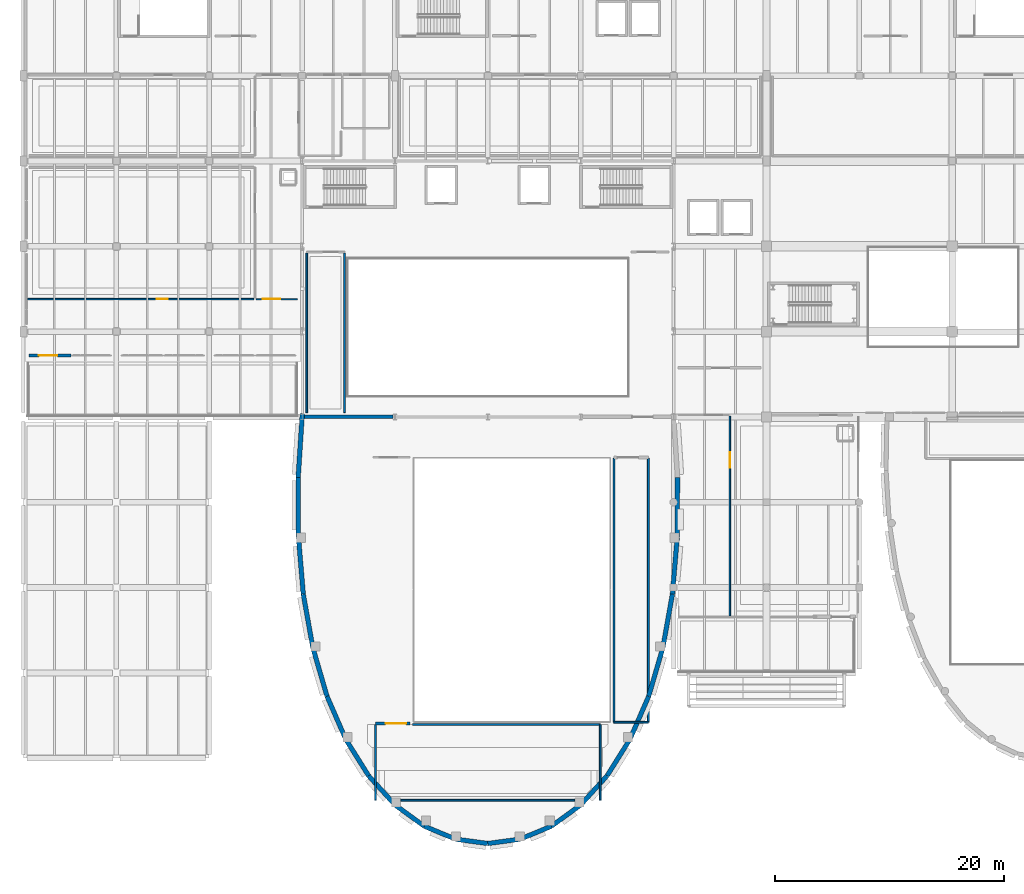
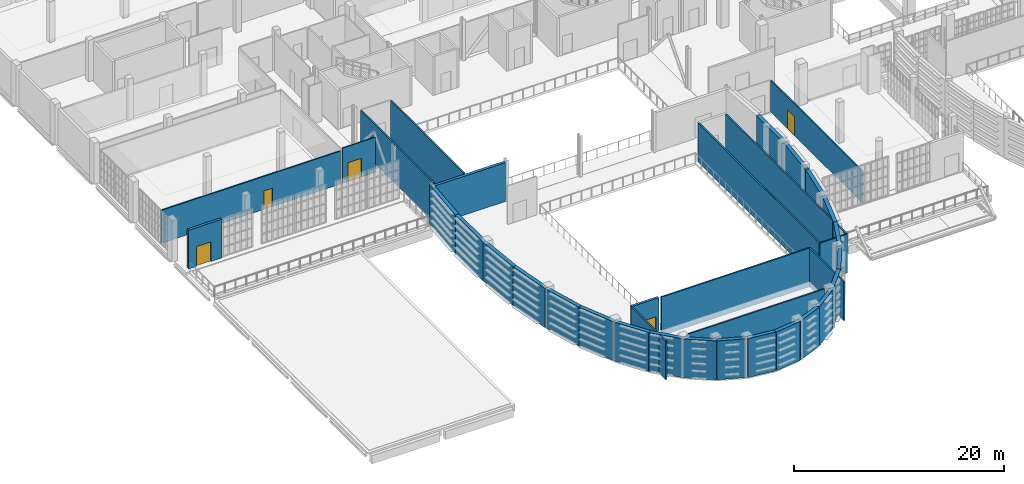
# One storey, part 87 of 104: 36 walls, 5 doors, 5 openings.
"""IFC4 building model written with IfcOpenShell, lengths in metres."""

from ifc_helpers import new_model, si_unit, direction, frame, frame_2d, origin, place, context, subcontext, project, spatial, rectangle, extrude, material, layer, layer_set, type_object, element, fill, save


model = new_model("IFC4")

# Units and contexts
model_context = context("Model", 3, precision=1e-05, world=origin(), true_north=direction((0.0, 1.0)))
body_context = subcontext(model_context, "Body", "Model", "MODEL_VIEW")
ifc_project = project(units=[si_unit("LENGTHUNIT", "METRE"), si_unit("AREAUNIT", "SQUARE_METRE"), si_unit("VOLUMEUNIT", "CUBIC_METRE"), si_unit("PLANEANGLEUNIT", "RADIAN"), si_unit("MASSUNIT", "GRAM", prefix="KILO")], contexts=[model_context])

# Site, building, storey
site_placement = place(None, origin())
site = spatial("IfcSite", under=ifc_project, at=site_placement, CompositionType="ELEMENT")
building_placement = place(site_placement, origin())
building = spatial("IfcBuilding", under=site, at=building_placement, Name="Kaelora Sail Theatre", CompositionType="ELEMENT")
storey_placement = place(building_placement, frame((0.0, 0.0, 5.39990234375)))
storey = spatial("IfcBuildingStorey", under=building, at=storey_placement, Name="L01", CompositionType="ELEMENT", Elevation=5.39990234375)

# Walls
ifc_material_1 = material(Name="Concrete C45/55", Category="concrete")
ifc_layer_1 = layer(ifc_material_1, 0.300048828125)
ifc_layer_set_1 = layer_set([ifc_layer_1], Name="Concrete C45/55")
wall_type_1 = type_object("IfcWallType", Name="ARC-WL-CW-300", PredefinedType="SHEAR", material=ifc_layer_set_1)
wall_1_placement = place(storey_placement, frame((25.951904296875, 61.02001953125, 0.0), z_axis=(0.0, 0.0, 1.0), x_axis=(1.0, 0.0, 0.0)))
element("IfcWall", 1, at=wall_1_placement, inside=storey, type_object=wall_type_1, Name="Proscenium fire wall L01-W", PredefinedType="SHEAR", context=body_context, shape_type="SweptSolid", body=[
    extrude(rectangle(XDim=7.796142578125, YDim=0.300048828125, at=frame_2d((3.89794921875, 0.0))), origin(), (0.0, 0.0, 1.0), 4.525146484375),
])
ifc_material_2 = material(Name="Concrete C50/60", Category="concrete")
ifc_layer_2 = layer(ifc_material_2, 0.39990234375)
ifc_layer_set_2 = layer_set([ifc_layer_2], Name="Concrete C50/60")
wall_type_2 = type_object("IfcWallType", Name="ARC-WL-DW-400", PredefinedType="SHEAR", material=ifc_layer_set_2)
wall_2_placement = place(storey_placement, frame((58.542236328125, 55.725830078125, 0.0), z_axis=(0.0, 0.0, 1.0), x_axis=(-0.004895671688, -0.999988016128, 0.0)))
element("IfcWall", 2, at=wall_2_placement, inside=storey, type_object=wall_type_2, Name="Main Theatre Sail Drum curved drum acoustic wall L01 chord 2", PredefinedType="SHEAR", context=body_context, shape_type="SweptSolid", body=[
    extrude(rectangle(XDim=5.186279296875, YDim=0.39990234375, at=frame_2d((2.59326171875, 0.0))), origin(), (0.0, 0.0, 1.0), 4.525146484375),
])
wall_3_placement = place(storey_placement, frame((58.516845703125, 50.53955078125, 0.0), z_axis=(0.0, 0.0, 1.0), x_axis=(-0.084239735825, -0.996445516277, 0.0)))
element("IfcWall", 3, at=wall_3_placement, inside=storey, type_object=wall_type_2, Name="Main Theatre Sail Drum curved drum acoustic wall L01 chord 3", PredefinedType="SHEAR", context=body_context, shape_type="SweptSolid", body=[
    extrude(rectangle(XDim=4.99072265625, YDim=0.39990234375, at=frame_2d((2.495361328125, 0.0))), origin(), (0.0, 0.0, 1.0), 4.525146484375),
])
wall_4_placement = place(storey_placement, frame((58.096435546875, 45.566650390625, 0.0), z_axis=(0.0, 0.0, 1.0), x_axis=(-0.17557456422, -0.98446613573, 0.0)))
element("IfcWall", 4, at=wall_4_placement, inside=storey, type_object=wall_type_2, Name="Main Theatre Sail Drum curved drum acoustic wall L01 chord 4", PredefinedType="SHEAR", context=body_context, shape_type="SweptSolid", body=[
    extrude(rectangle(XDim=4.73193359375, YDim=0.39990234375, at=frame_2d((2.365966796875, 0.0))), origin(), (0.0, 0.0, 1.0), 4.525146484375),
])
wall_5_placement = place(storey_placement, frame((57.265625, 40.908203125, 0.0), z_axis=(0.0, 0.0, 1.0), x_axis=(-0.280296498643, -0.959913471542, 0.0)))
element("IfcWall", 5, at=wall_5_placement, inside=storey, type_object=wall_type_2, Name="Main Theatre Sail Drum curved drum acoustic wall L01 chord 5", PredefinedType="SHEAR", context=body_context, shape_type="SweptSolid", body=[
    extrude(rectangle(XDim=4.426513671875, YDim=0.39990234375, at=frame_2d((2.21337890625, 0.0))), origin(), (0.0, 0.0, 1.0), 4.525146484375),
])
wall_6_placement = place(storey_placement, frame((56.02490234375, 36.6591796875, 0.0), z_axis=(0.0, 0.0, 1.0), x_axis=(-0.39928213013, -0.916828108513, 0.0)))
element("IfcWall", 6, at=wall_6_placement, inside=storey, type_object=wall_type_2, Name="Main Theatre Sail Drum curved drum acoustic wall L01 chord 6", PredefinedType="SHEAR", context=body_context, shape_type="SweptSolid", body=[
    extrude(rectangle(XDim=4.09375, YDim=0.39990234375, at=frame_2d((2.046875, 0.0))), origin(), (0.0, 0.0, 1.0), 4.525146484375),
])
wall_7_placement = place(storey_placement, frame((54.390380859375, 32.906005859375, 0.0), z_axis=(0.0, 0.0, 1.0), x_axis=(-0.531284290946, -0.847193603726, 0.0)))
element("IfcWall", 7, at=wall_7_placement, inside=storey, type_object=wall_type_2, Name="Main Theatre Sail Drum curved drum acoustic wall L01 chord 7", PredefinedType="SHEAR", context=body_context, shape_type="SweptSolid", body=[
    extrude(rectangle(XDim=3.75439453125, YDim=0.39990234375, at=frame_2d((1.877197265625, 0.0))), origin(), (0.0, 0.0, 1.0), 4.525146484375),
])
wall_8_placement = place(storey_placement, frame((52.395751953125, 29.725341796875, 0.0), z_axis=(0.0, 0.0, 1.0), x_axis=(-0.671588971211, -0.740923919001, 0.0)))
element("IfcWall", 8, at=wall_8_placement, inside=storey, type_object=wall_type_2, Name="Main Theatre Sail Drum curved drum acoustic wall L01 chord 8", PredefinedType="SHEAR", context=body_context, shape_type="SweptSolid", body=[
    extrude(rectangle(XDim=3.43310546875, YDim=0.39990234375, at=frame_2d((1.716552734375, 0.0))), origin(), (0.0, 0.0, 1.0), 4.525146484375),
])
wall_9_placement = place(storey_placement, frame((50.090087890625, 27.181640625, 0.0), z_axis=(0.0, 0.0, 1.0), x_axis=(-0.809033741653, -0.587762200951, 0.0)))
element("IfcWall", 9, at=wall_9_placement, inside=storey, type_object=wall_type_2, Name="Main Theatre Sail Drum curved drum acoustic wall L01 chord 9", PredefinedType="SHEAR", context=body_context, shape_type="SweptSolid", body=[
    extrude(rectangle(XDim=3.155517578125, YDim=0.39990234375, at=frame_2d((1.57763671875, 0.0))), origin(), (0.0, 0.0, 1.0), 4.525146484375),
])
wall_10_placement = place(storey_placement, frame((47.537109375, 25.326904296875, 0.0), z_axis=(0.0, 0.0, 1.0), x_axis=(-0.923897776758, -0.382639383887, 0.0)))
element("IfcWall", 10, at=wall_10_placement, inside=storey, type_object=wall_type_2, Name="Main Theatre Sail Drum curved drum acoustic wall L01 chord 10", PredefinedType="SHEAR", context=body_context, shape_type="SweptSolid", body=[
    extrude(rectangle(XDim=2.948974609375, YDim=0.39990234375, at=frame_2d((1.474609375, 0.0))), origin(), (0.0, 0.0, 1.0), 4.525146484375),
])
for number, where, z_axis, x_axis, name in (
    (11, (44.8125, 24.198486328125, 0.0), (0.0, 0.0, 1.0), (-0.991069409398, -0.133347012549, 0.0), "Main Theatre Sail Drum curved drum acoustic wall L01 chord 11"),
    (12, (42.0, 23.820068359375, 0.0), (0.0, 0.0, 1.0), (-0.991069409398, 0.133347012549, 0.0), "Main Theatre Sail Drum curved drum acoustic wall L01 chord 12"),
):
    element("IfcWall", number, at=place(storey_placement, frame(where, z_axis=z_axis, x_axis=x_axis)), inside=storey, type_object=wall_type_2, Name=name, PredefinedType="SHEAR", context=body_context, shape_type="SweptSolid", body=[
        extrude(rectangle(XDim=2.837890625, YDim=0.39990234375, at=frame_2d((1.4189453125, 0.0))), origin(), (0.0, 0.0, 1.0), 4.525146484375),
    ])
wall_11_placement = place(storey_placement, frame((39.1875, 24.198486328125, 0.0), z_axis=(0.0, 0.0, 1.0), x_axis=(-0.923897776758, 0.382639383887, 0.0)))
element("IfcWall", 13, at=wall_11_placement, inside=storey, type_object=wall_type_2, Name="Main Theatre Sail Drum curved drum acoustic wall L01 chord 13", PredefinedType="SHEAR", context=body_context, shape_type="SweptSolid", body=[
    extrude(rectangle(XDim=2.948974609375, YDim=0.39990234375, at=frame_2d((1.474609375, 0.0))), origin(), (0.0, 0.0, 1.0), 4.525146484375),
])
wall_12_placement = place(storey_placement, frame((36.462890625, 25.326904296875, 0.0), z_axis=(0.0, 0.0, 1.0), x_axis=(-0.809033741653, 0.587762200951, 0.0)))
element("IfcWall", 14, at=wall_12_placement, inside=storey, type_object=wall_type_2, Name="Main Theatre Sail Drum curved drum acoustic wall L01 chord 14", PredefinedType="SHEAR", context=body_context, shape_type="SweptSolid", body=[
    extrude(rectangle(XDim=3.155517578125, YDim=0.39990234375, at=frame_2d((1.57763671875, 0.0))), origin(), (0.0, 0.0, 1.0), 4.525146484375),
])
wall_13_placement = place(storey_placement, frame((33.909912109375, 27.181640625, 0.0), z_axis=(0.0, 0.0, 1.0), x_axis=(-0.671588971211, 0.740923919001, 0.0)))
element("IfcWall", 15, at=wall_13_placement, inside=storey, type_object=wall_type_2, Name="Main Theatre Sail Drum curved drum acoustic wall L01 chord 15", PredefinedType="SHEAR", context=body_context, shape_type="SweptSolid", body=[
    extrude(rectangle(XDim=3.43310546875, YDim=0.39990234375, at=frame_2d((1.716552734375, 0.0))), origin(), (0.0, 0.0, 1.0), 4.525146484375),
])
wall_14_placement = place(storey_placement, frame((31.604248046875, 29.725341796875, 0.0), z_axis=(0.0, 0.0, 1.0), x_axis=(-0.531284290946, 0.847193603726, 0.0)))
element("IfcWall", 16, at=wall_14_placement, inside=storey, type_object=wall_type_2, Name="Main Theatre Sail Drum curved drum acoustic wall L01 chord 16", PredefinedType="SHEAR", context=body_context, shape_type="SweptSolid", body=[
    extrude(rectangle(XDim=3.75439453125, YDim=0.39990234375, at=frame_2d((1.877197265625, 0.0))), origin(), (0.0, 0.0, 1.0), 4.525146484375),
])
wall_15_placement = place(storey_placement, frame((29.609619140625, 32.906005859375, 0.0), z_axis=(0.0, 0.0, 1.0), x_axis=(-0.39928213013, 0.916828108513, 0.0)))
element("IfcWall", 17, at=wall_15_placement, inside=storey, type_object=wall_type_2, Name="Main Theatre Sail Drum curved drum acoustic wall L01 chord 17", PredefinedType="SHEAR", context=body_context, shape_type="SweptSolid", body=[
    extrude(rectangle(XDim=4.09375, YDim=0.39990234375, at=frame_2d((2.046875, 0.0))), origin(), (0.0, 0.0, 1.0), 4.525146484375),
])
wall_16_placement = place(storey_placement, frame((27.97509765625, 36.6591796875, 0.0), z_axis=(0.0, 0.0, 1.0), x_axis=(-0.280296498643, 0.959913471542, 0.0)))
element("IfcWall", 18, at=wall_16_placement, inside=storey, type_object=wall_type_2, Name="Main Theatre Sail Drum curved drum acoustic wall L01 chord 18", PredefinedType="SHEAR", context=body_context, shape_type="SweptSolid", body=[
    extrude(rectangle(XDim=4.426513671875, YDim=0.39990234375, at=frame_2d((2.21337890625, 0.0))), origin(), (0.0, 0.0, 1.0), 4.525146484375),
])
wall_17_placement = place(storey_placement, frame((26.734375, 40.908203125, 0.0), z_axis=(0.0, 0.0, 1.0), x_axis=(-0.17557456422, 0.98446613573, 0.0)))
element("IfcWall", 19, at=wall_17_placement, inside=storey, type_object=wall_type_2, Name="Main Theatre Sail Drum curved drum acoustic wall L01 chord 19", PredefinedType="SHEAR", context=body_context, shape_type="SweptSolid", body=[
    extrude(rectangle(XDim=4.73193359375, YDim=0.39990234375, at=frame_2d((2.365966796875, 0.0))), origin(), (0.0, 0.0, 1.0), 4.525146484375),
])
wall_18_placement = place(storey_placement, frame((25.903564453125, 45.566650390625, 0.0), z_axis=(0.0, 0.0, 1.0), x_axis=(-0.084239735825, 0.996445516277, 0.0)))
element("IfcWall", 20, at=wall_18_placement, inside=storey, type_object=wall_type_2, Name="Main Theatre Sail Drum curved drum acoustic wall L01 chord 20", PredefinedType="SHEAR", context=body_context, shape_type="SweptSolid", body=[
    extrude(rectangle(XDim=4.99072265625, YDim=0.39990234375, at=frame_2d((2.495361328125, 0.0))), origin(), (0.0, 0.0, 1.0), 4.525146484375),
])
wall_19_placement = place(storey_placement, frame((25.483154296875, 50.53955078125, 0.0), z_axis=(0.0, 0.0, 1.0), x_axis=(-0.004895671688, 0.999988016128, 0.0)))
element("IfcWall", 21, at=wall_19_placement, inside=storey, type_object=wall_type_2, Name="Main Theatre Sail Drum curved drum acoustic wall L01 chord 21", PredefinedType="SHEAR", context=body_context, shape_type="SweptSolid", body=[
    extrude(rectangle(XDim=5.186279296875, YDim=0.39990234375, at=frame_2d((2.59326171875, 0.0))), origin(), (0.0, 0.0, 1.0), 4.525146484375),
])
wall_20_placement = place(storey_placement, frame((25.457763671875, 55.725830078125, 0.0), z_axis=(0.0, 0.0, 1.0), x_axis=(0.064519893008, 0.997916421053, 0.0)))
element("IfcWall", 22, at=wall_20_placement, inside=storey, type_object=wall_type_2, Name="Main Theatre Sail Drum curved drum acoustic wall L01 chord 22", PredefinedType="SHEAR", context=body_context, shape_type="SweptSolid", body=[
    extrude(rectangle(XDim=5.585205078125, YDim=0.39990234375, at=frame_2d((2.79248046875, 0.0))), origin(), (0.0, 0.0, 1.0), 4.525146484375),
])

# Wall, opening, door
ifc_material_3 = material(Name="Precast concrete C45/55", Category="concrete")
ifc_layer_3 = layer(ifc_material_3, 0.280029296875)
ifc_layer_set_3 = layer_set([ifc_layer_3], Name="Precast concrete C45/55")
wall_type_3 = type_object("IfcWallType", Name="ARC-WL-EW-280", PredefinedType="SOLIDWALL", material=ifc_layer_set_3)
wall_21_placement = place(storey_placement, frame((2.0, 66.389892578125, 0.0), z_axis=(0.0, 0.0, 1.0), x_axis=(1.0, 0.0, 0.0)))
wall_21 = element("IfcWall", 23, at=wall_21_placement, inside=storey, type_object=wall_type_3, Name="West Balcony Terrace TR-S1W Access Wall", PredefinedType="SOLIDWALL", context=body_context, shape_type="SweptSolid", body=[
    extrude(rectangle(XDim=3.64990234375, YDim=0.280029296875, at=frame_2d((1.824951171875, 0.0))), origin(), (0.0, 0.0, 1.0), 4.505126953125),
])
opening_1_placement = place(wall_21_placement, frame((0.85009765625, 0.0, 0.0)))
opening_1 = element("IfcOpeningElement", 24, at=opening_1_placement, cuts=wall_21, Name="Opening ED-05", PredefinedType="OPENING", context=body_context, shape_type="SweptSolid", body=[
    extrude(rectangle(XDim=1.60009765625, YDim=2.300048828125, at=frame_2d((0.800048828125, 1.14990234375))), frame((0.0, 0.150137, 0.0), z_axis=(0.0, -1.0, 0.0), x_axis=(1.0, 0.0, 0.0)), (0.0, 0.0, 1.0), 0.300029),
])
ifc_material_4 = material(Name="Terrace glazed double swing door", Category="aluminium")
door_type_1 = type_object("IfcDoorType", Name="ARC-DR-ED-05", OperationType="NOTDEFINED", PredefinedType="DOOR", material=ifc_material_4)
door_1_placement = place(opening_1_placement, origin())
door_1 = element("IfcDoor", 25, at=door_1_placement, inside=storey, type_object=door_type_1, Name="West Balcony Terrace TR-S1W Access Wall Door", OperationType="DOUBLE_DOOR_SINGLE_SWING", OverallHeight=2.300048828125, OverallWidth=1.60009765625, PredefinedType="DOOR", context=body_context, shape_type="SweptSolid", body=[
    extrude(rectangle(XDim=1.60009765625, YDim=2.300048828125, at=frame_2d((0.800048828125, 1.14990234375))), frame((0.0, 0.02490234375, 0.0), z_axis=(0.0, -1.0, 0.0), x_axis=(1.0, 0.0, 0.0)), (0.0, 0.0, 1.0), 0.050048828125),
])
fill(opening_1, door_1)

ifc_material_5 = material(Name="Dressing room acoustic partition 130 mm", Category="gypsum")
ifc_layer_4 = layer(ifc_material_5, 0.1298828125)
ifc_layer_set_4 = layer_set([ifc_layer_4], Name="Dressing room acoustic partition 130 mm")
wall_type_4 = type_object("IfcWallType", Name="ARC-WL-PT-130", PredefinedType="PARTITIONING", material=ifc_layer_set_4)
wall_22_placement = place(storey_placement, frame((21.800048828125, 71.300048828125, 0.0), z_axis=(0.0, 0.0, 1.0), x_axis=(1.0, 0.0, 0.0)))
wall_22 = element("IfcWall", 26, at=wall_22_placement, inside=storey, type_object=wall_type_4, Name="Interior acoustic partition L01-COR-WEST/L01-COR-NLINKW", PredefinedType="PARTITIONING", context=body_context, shape_type="SweptSolid", body=[
    extrude(rectangle(XDim=3.599853515625, YDim=0.1298828125, at=frame_2d((1.7998046875, 0.0))), origin(), (0.0, 0.0, 1.0), 4.087158203125),
])
opening_2_placement = place(wall_22_placement, frame((0.580078125, 0.0, 0.0)))
opening_2 = element("IfcOpeningElement", 27, at=opening_2_placement, cuts=wall_22, Name="Opening FD-01", PredefinedType="OPENING", context=body_context, shape_type="SweptSolid", body=[
    extrude(rectangle(XDim=1.5, YDim=2.199951171875, at=frame_2d((0.75, 1.10009765625))), frame((0.0, 0.074941, 0.0), z_axis=(0.0, -1.0, 0.0), x_axis=(1.0, 0.0, 0.0)), (0.0, 0.0, 1.0), 0.149883),
])
ifc_material_6 = material(Name="Acoustic steel double fire door EI 90-C", Category="steel")
door_type_2 = type_object("IfcDoorType", Name="ARC-DR-FD-01", OperationType="NOTDEFINED", PredefinedType="DOOR", material=ifc_material_6)
door_2_placement = place(opening_2_placement, origin())
door_2 = element("IfcDoor", 28, at=door_2_placement, inside=storey, type_object=door_type_2, Name="Interior door L01-COR-WEST to L01-COR-NLINKW", OperationType="DOUBLE_DOOR_SINGLE_SWING", OverallHeight=2.199951171875, OverallWidth=1.5, PredefinedType="DOOR", context=body_context, shape_type="SweptSolid", body=[
    extrude(rectangle(XDim=1.5, YDim=2.199951171875, at=frame_2d((0.75, 1.10009765625))), frame((0.0, 0.02490234375, 0.0), z_axis=(0.0, -1.0, 0.0), x_axis=(1.0, 0.0, 0.0)), (0.0, 0.0, 1.0), 0.050048828125),
])
fill(opening_2, door_2)

wall_23_placement = place(storey_placement, frame((63.10009765625, 43.669921875, 0.0), z_axis=(0.0, 0.0, 1.0), x_axis=(0.0, 1.0, 0.0)))
wall_23 = element("IfcWall", 29, at=wall_23_placement, inside=storey, type_object=wall_type_4, Name="Interior acoustic partition L01-COR-INTER1/L01-FOY-INTER1", PredefinedType="PARTITIONING", context=body_context, shape_type="SweptSolid", body=[
    extrude(rectangle(XDim=17.43017578125, YDim=0.1298828125, at=frame_2d((8.715087890625, 0.0))), origin(), (0.0, 0.0, 1.0), 3.68701171875),
])
opening_3_placement = place(wall_23_placement, frame((12.9140625, 0.0, 0.0)))
opening_3 = element("IfcOpeningElement", 30, at=opening_3_placement, cuts=wall_23, Name="Opening ID-08", PredefinedType="OPENING", context=body_context, shape_type="SweptSolid", body=[
    extrude(rectangle(XDim=1.35009765625, YDim=2.199951171875, at=frame_2d((0.675048828125, 1.10009765625))), frame((0.0, 0.074941, 0.0), z_axis=(0.0, -1.0, 0.0), x_axis=(1.0, 0.0, 0.0)), (0.0, 0.0, 1.0), 0.149883),
])
ifc_material_7 = material(Name="Instrument & libretto leaf-and-a-half door", Category="steel")
door_type_3 = type_object("IfcDoorType", Name="ARC-DR-ID-08", OperationType="NOTDEFINED", PredefinedType="DOOR", material=ifc_material_7)
door_3_placement = place(opening_3_placement, origin())
door_3 = element("IfcDoor", 31, at=door_3_placement, inside=storey, type_object=door_type_3, Name="Interior door L01-COR-INTER1 to L01-FOY-INTER1", OperationType="SINGLE_SWING_RIGHT", OverallHeight=2.199951171875, OverallWidth=1.35009765625, PredefinedType="DOOR", context=body_context, shape_type="SweptSolid", body=[
    extrude(rectangle(XDim=1.35009765625, YDim=2.199951171875, at=frame_2d((0.675048828125, 1.10009765625))), frame((0.0, 0.02490234375, 0.0), z_axis=(0.0, -1.0, 0.0), x_axis=(1.0, 0.0, 0.0)), (0.0, 0.0, 1.0), 0.050048828125),
])
fill(opening_3, door_3)

ifc_material_8 = material(Name="Fire-rated stud partition 140 mm", Category="gypsum")
ifc_layer_5 = layer(ifc_material_8, 0.139892578125)
ifc_layer_set_5 = layer_set([ifc_layer_5], Name="Fire-rated stud partition 140 mm")
wall_type_5 = type_object("IfcWallType", Name="ARC-WL-PT-140", PredefinedType="PARTITIONING", material=ifc_layer_set_5)
wall_24_placement = place(storey_placement, frame((1.8701171875, 71.300048828125, 0.0), z_axis=(0.0, 0.0, 1.0), x_axis=(1.0, 0.0, 0.0)))
wall_24 = element("IfcWall", 32, at=wall_24_placement, inside=storey, type_object=wall_type_5, Name="Interior acoustic partition L01-COR-WEST/L01-FOY-WEST", PredefinedType="PARTITIONING", context=body_context, shape_type="SweptSolid", body=[
    extrude(rectangle(XDim=19.72998046875, YDim=0.139892578125, at=frame_2d((9.864990234375, 0.0))), origin(), (0.0, 0.0, 1.0), 3.837158203125),
])
opening_4_placement = place(wall_24_placement, frame((11.27099609375, 0.0, 0.0)))
opening_4 = element("IfcOpeningElement", 33, at=opening_4_placement, cuts=wall_24, Name="Opening ID-02", PredefinedType="OPENING", context=body_context, shape_type="SweptSolid", body=[
    extrude(rectangle(XDim=0.949951171875, YDim=2.14990234375, at=frame_2d((0.47509765625, 1.074951171875))), frame((0.0, 0.079824, 0.0), z_axis=(0.0, -1.0, 0.0), x_axis=(1.0, 0.0, 0.0)), (0.0, 0.0, 1.0), 0.159893),
])
ifc_material_9 = material(Name="Timber dressing and office single door", Category="wood")
door_type_4 = type_object("IfcDoorType", Name="ARC-DR-ID-02", OperationType="NOTDEFINED", PredefinedType="DOOR", material=ifc_material_9)
door_4_placement = place(opening_4_placement, origin())
door_4 = element("IfcDoor", 34, at=door_4_placement, inside=storey, type_object=door_type_4, Name="Interior door L01-COR-WEST to L01-FOY-WEST", OperationType="SINGLE_SWING_RIGHT", OverallHeight=2.14990234375, OverallWidth=0.949951171875, PredefinedType="DOOR", context=body_context, shape_type="SweptSolid", body=[
    extrude(rectangle(XDim=0.949951171875, YDim=2.14990234375, at=frame_2d((0.47509765625, 1.074951171875))), frame((0.0, 0.02490234375, 0.0), z_axis=(0.0, -1.0, 0.0), x_axis=(1.0, 0.0, 0.0)), (0.0, 0.0, 1.0), 0.050048828125),
])
fill(opening_4, door_4)

# Walls
ifc_material_10 = material(Name="Acoustic metal-stud plasterboard 160 mm", Category="gypsum")
ifc_layer_6 = layer(ifc_material_10, 0.159912109375)
ifc_layer_set_6 = layer_set([ifc_layer_6], Name="Acoustic metal-stud plasterboard 160 mm")
wall_type_6 = type_object("IfcWallType", Name="ARC-WL-PT-160", PredefinedType="PARTITIONING", material=ifc_layer_set_6)
wall_25_placement = place(storey_placement, frame((34.422607421875, 27.60009765625, 0.0), z_axis=(0.0, 0.0, 1.0), x_axis=(1.0, 0.0, 0.0)))
element("IfcWall", 35, at=wall_25_placement, inside=storey, type_object=wall_type_6, Name="Room enclosure wall L01-GAL-MAIN-S-S1", PredefinedType="PARTITIONING", context=body_context, shape_type="SweptSolid", body=[
    extrude(rectangle(XDim=15.15478515625, YDim=0.159912109375, at=frame_2d((7.577392578125, 0.0))), origin(), (0.0, 0.0, 1.0), 4.505126953125),
])
wall_26_placement = place(storey_placement, frame((35.449951171875, 34.199951171875, 0.0), z_axis=(0.0, 0.0, 1.0), x_axis=(1.0, 0.0, 0.0)))
element("IfcWall", 36, at=wall_26_placement, inside=storey, type_object=wall_type_6, Name="Room enclosure wall L01-GAL-MAIN-S-N1", PredefinedType="PARTITIONING", context=body_context, shape_type="SweptSolid", body=[
    extrude(rectangle(XDim=16.35009765625, YDim=0.159912109375, at=frame_2d((8.175048828125, 0.0))), origin(), (0.0, 0.0, 1.0), 4.505126953125),
])
for number, where, z_axis, x_axis, name in (
    (37, (32.199951171875, 27.60009765625, 0.0), (0.0, 0.0, 1.0), (0.0, 1.0, 0.0), "Room enclosure wall L01-GAL-MAIN-S-W1"),
    (38, (51.800048828125, 27.60009765625, 0.0), (0.0, 0.0, 1.0), (0.0, 1.0, 0.0), "Room enclosure wall L01-GAL-MAIN-S-E1"),
):
    element("IfcWall", number, at=place(storey_placement, frame(where, z_axis=z_axis, x_axis=x_axis)), inside=storey, type_object=wall_type_6, Name=name, PredefinedType="PARTITIONING", context=body_context, shape_type="SweptSolid", body=[
        extrude(rectangle(XDim=6.599853515625, YDim=0.159912109375, at=frame_2d((3.2998046875, 0.0))), origin(), (0.0, 0.0, 1.0), 4.505126953125),
    ])
wall_27_placement = place(storey_placement, frame((53.0, 34.39990234375, 0.0), z_axis=(0.0, 0.0, 1.0), x_axis=(1.0, 0.0, 0.0)))
element("IfcWall", 39, at=wall_27_placement, inside=storey, type_object=wall_type_6, Name="Room enclosure wall L01-GAL-MAIN-E-S1", PredefinedType="PARTITIONING", context=body_context, shape_type="SweptSolid", body=[
    extrude(rectangle(XDim=3.0, YDim=0.159912109375, at=frame_2d((1.5, 0.0))), origin(), (0.0, 0.0, 1.0), 4.505126953125),
])
for number, where, z_axis, x_axis, name in (
    (40, (53.0, 34.39990234375, 0.0), (0.0, 0.0, 1.0), (0.0, 1.0, 0.0), "Room enclosure wall L01-GAL-MAIN-E-W1"),
    (41, (56.0, 34.39990234375, 0.0), (0.0, 0.0, 1.0), (0.0, 1.0, 0.0), "Room enclosure wall L01-GAL-MAIN-E-E1"),
):
    element("IfcWall", number, at=place(storey_placement, frame(where, z_axis=z_axis, x_axis=x_axis)), inside=storey, type_object=wall_type_6, Name=name, PredefinedType="PARTITIONING", context=body_context, shape_type="SweptSolid", body=[
        extrude(rectangle(XDim=23.0, YDim=0.159912109375, at=frame_2d((11.5, 0.0))), origin(), (0.0, 0.0, 1.0), 4.505126953125),
    ])
for number, where, z_axis, x_axis, name in (
    (42, (26.199951171875, 61.39990234375, 0.0), (0.0, 0.0, 1.0), (0.0, 1.0, 0.0), "Room enclosure wall L01-FLY-GAL1-W1"),
    (43, (29.5, 61.39990234375, 0.0), (0.0, 0.0, 1.0), (0.0, 1.0, 0.0), "Room enclosure wall L01-FLY-GAL1-E1"),
):
    element("IfcWall", number, at=place(storey_placement, frame(where, z_axis=z_axis, x_axis=x_axis)), inside=storey, type_object=wall_type_6, Name=name, PredefinedType="PARTITIONING", context=body_context, shape_type="SweptSolid", body=[
        extrude(rectangle(XDim=13.900146484375, YDim=0.159912109375, at=frame_2d((6.9501953125, 0.0))), origin(), (0.0, 0.0, 1.0), 4.505126953125),
    ])

# Wall, opening, door
ifc_material_11 = material(Name="Concrete C45/55", Category="concrete")
ifc_layer_7 = layer(ifc_material_11, 0.27001953125)
ifc_layer_set_7 = layer_set([ifc_layer_7], Name="Concrete C45/55")
wall_type_7 = type_object("IfcWallType", Name="ARC-WL-PW-270", PredefinedType="SOLIDWALL", material=ifc_layer_set_7)
wall_28_placement = place(storey_placement, frame((32.199951171875, 34.300048828125, 0.0), z_axis=(0.0, 0.0, 1.0), x_axis=(1.0, 0.0, 0.0)))
wall_28 = element("IfcWall", 44, at=wall_28_placement, inside=storey, type_object=wall_type_7, Name="Interior acoustic partition L01-GAL-MAIN-S/L01-GAL-MAIN-W", PredefinedType="SOLIDWALL", context=body_context, shape_type="SweptSolid", body=[
    extrude(rectangle(XDim=3.0, YDim=0.27001953125, at=frame_2d((1.5, 0.0))), origin(), (0.0, 0.0, 1.0), 4.505126953125),
])
opening_5_placement = place(wall_28_placement, frame((0.8798828125, 0.0, 0.0)))
opening_5 = element("IfcOpeningElement", 45, at=opening_5_placement, cuts=wall_28, Name="Opening FD-03", PredefinedType="OPENING", context=body_context, shape_type="SweptSolid", body=[
    extrude(rectangle(XDim=1.800048828125, YDim=2.39990234375, at=frame_2d((0.89990234375, 1.199951171875))), frame((0.0, 0.14501, 0.0), z_axis=(0.0, -1.0, 0.0), x_axis=(1.0, 0.0, 0.0)), (0.0, 0.0, 1.0), 0.29002),
])
ifc_material_12 = material(Name="Auditorium acoustic double sound-lock fire door FD60S", Category="steel")
door_type_5 = type_object("IfcDoorType", Name="ARC-DR-FD-03", OperationType="NOTDEFINED", PredefinedType="DOOR", material=ifc_material_12)
door_5_placement = place(opening_5_placement, origin())
door_5 = element("IfcDoor", 46, at=door_5_placement, inside=storey, type_object=door_type_5, Name="Interior door L01-GAL-MAIN-S to L01-GAL-MAIN-W", OperationType="DOUBLE_DOOR_SINGLE_SWING", OverallHeight=2.39990234375, OverallWidth=1.800048828125, PredefinedType="DOOR", context=body_context, shape_type="SweptSolid", body=[
    extrude(rectangle(XDim=1.800048828125, YDim=2.39990234375, at=frame_2d((0.89990234375, 1.199951171875))), frame((0.0, 0.02490234375, 0.0), z_axis=(0.0, -1.0, 0.0), x_axis=(1.0, 0.0, 0.0)), (0.0, 0.0, 1.0), 0.050048828125),
])
fill(opening_5, door_5)

save(model, "model.ifc")
